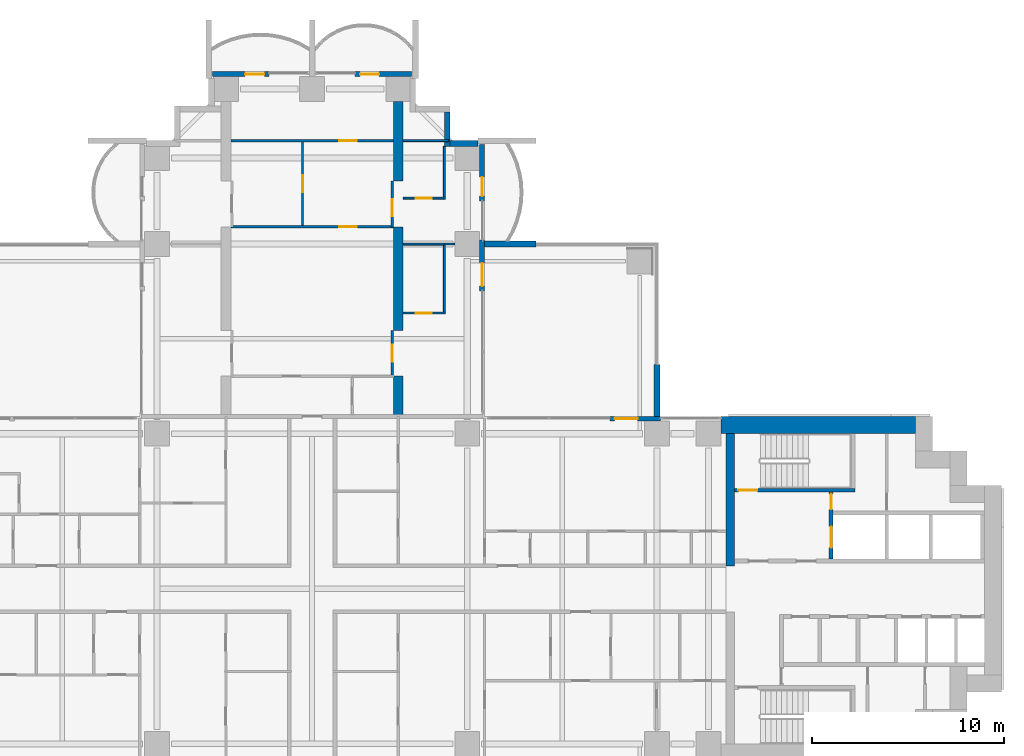
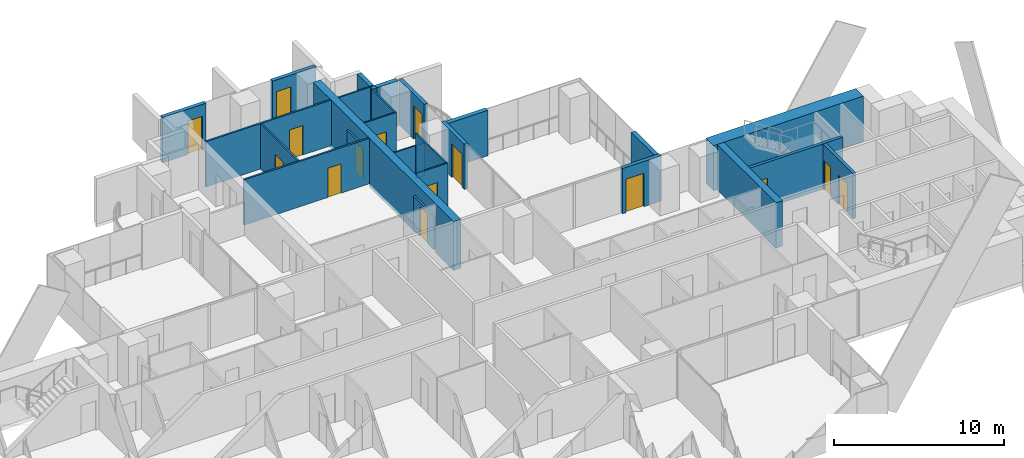
# One storey, part 16 of 23: 26 walls, 15 doors, 15 openings.
"""IFC4 building model written with IfcOpenShell, lengths in metres."""

from ifc_helpers import new_model, si_unit, direction, frame, frame_2d, origin, place, context, subcontext, project, spatial, polyline, rectangle, outline, extrude, material, layer, layer_set, material_profile, profile_set, type_object, element, fill, save


model = new_model("IFC4")

# Units and contexts
model_context = context("Model", 3, precision=1e-05, world=origin(), true_north=direction((0.0, 1.0)))
body_context = subcontext(model_context, "Body", "Model", "MODEL_VIEW")
ifc_project = project(units=[si_unit("LENGTHUNIT", "METRE"), si_unit("AREAUNIT", "SQUARE_METRE"), si_unit("VOLUMEUNIT", "CUBIC_METRE"), si_unit("PLANEANGLEUNIT", "RADIAN"), si_unit("MASSUNIT", "GRAM", prefix="KILO")], contexts=[model_context])

# Site, building, storey
site_placement = place(None, origin())
site = spatial("IfcSite", under=ifc_project, at=site_placement, CompositionType="ELEMENT")
building_placement = place(site_placement, origin())
building = spatial("IfcBuilding", under=site, at=building_placement, Name="Perihelion Cross Residences", CompositionType="ELEMENT")
storey_placement = place(building_placement, frame((0.0, 0.0, 36.5)))
storey = spatial("IfcBuildingStorey", under=building, at=storey_placement, Name="L05", CompositionType="ELEMENT", Elevation=36.5)

# Wall, opening, door
ifc_material_1 = material(Name="Concrete C30/37, bronze-clad", Category="concrete")
ifc_layer_1 = layer(ifc_material_1, 0.25)
ifc_layer_set_1 = layer_set([ifc_layer_1], Name="Bronze-clad pier wall 250")
wall_type_1 = type_object("IfcWallType", Name="Bronze-clad pier wall 250", PredefinedType="SOLIDWALL", material=ifc_layer_set_1)
wall_1_placement = place(storey_placement, frame((18.199951171875, 8.875, 0.0), z_axis=(0.0, 0.0, 1.0), x_axis=(-1.0, 0.0, 0.0)))
wall_1 = element("IfcWall", 1, at=wall_1_placement, inside=storey, type_object=wall_type_1, Name="Wall FW1 L05 east side north bay 2 pier", PredefinedType="SOLIDWALL", context=body_context, shape_type="SweptSolid", body=[
    extrude(rectangle(XDim=2.64990234375, YDim=0.25, at=frame_2d((1.324951171875, 0.0))), origin(), (0.0, 0.0, 1.0), 3.25),
])
opening_1_placement = place(wall_1_placement, frame((1.199951171875, 0.0, 0.0)))
opening_1 = element("IfcOpeningElement", 2, at=opening_1_placement, cuts=wall_1, Name="Opening L05.E01", PredefinedType="OPENING", context=body_context, shape_type="SweptSolid", body=[
    extrude(rectangle(XDim=1.199951171875, YDim=2.39990234375, at=frame_2d((0.60009765625, 1.199951171875))), frame((0.0, 0.135009765625, 0.0), z_axis=(0.0, -1.0, 0.0), x_axis=(1.0, 0.0, 0.0)), (0.0, 0.0, 1.0), 0.27001953125),
])
ifc_material_2 = material(Name="Bronze anodised aluminium, glazed", Category="aluminium")
door_type_1 = type_object("IfcDoorType", Name="Balcony door 1200 x 2400", OperationType="NOTDEFINED", PredefinedType="DOOR", material=ifc_material_2)
door_1_placement = place(opening_1_placement, origin())
door_1 = element("IfcDoor", 3, at=door_1_placement, inside=storey, type_object=door_type_1, Name="Door L05.E01 east side north bay 2", OperationType="SINGLE_SWING_RIGHT", OverallHeight=2.39990234375, OverallWidth=1.199951171875, PredefinedType="DOOR", context=body_context, shape_type="SweptSolid", body=[
    extrude(rectangle(XDim=1.199951171875, YDim=2.39990234375, at=frame_2d((0.60009765625, 1.199951171875))), frame((0.0, 0.02490234375, 0.0), z_axis=(0.0, -1.0, 0.0), x_axis=(1.0, 0.0, 0.0)), (0.0, 0.0, 1.0), 0.050048828125),
])
fill(opening_1, door_1)

wall_2_placement = place(storey_placement, frame((8.875, 15.550048828125, 0.0), z_axis=(0.0, 0.0, 1.0), x_axis=(0.0, 1.0, 0.0)))
wall_2 = element("IfcWall", 4, at=wall_2_placement, inside=storey, type_object=wall_type_1, Name="Wall FW1 L05 north side east bay 1 pier", PredefinedType="SOLIDWALL", context=body_context, shape_type="SweptSolid", body=[
    extrude(rectangle(XDim=2.64990234375, YDim=0.25, at=frame_2d((1.324951171875, 0.0))), origin(), (0.0, 0.0, 1.0), 3.25),
])
opening_2_placement = place(wall_2_placement, frame((0.25, 0.0, 0.0)))
opening_2 = element("IfcOpeningElement", 5, at=opening_2_placement, cuts=wall_2, Name="Opening L05.E02", PredefinedType="OPENING", context=body_context, shape_type="SweptSolid", body=[
    extrude(rectangle(XDim=1.199951171875, YDim=2.39990234375, at=frame_2d((0.60009765625, 1.199951171875))), frame((0.0, 0.135009765625, 0.0), z_axis=(0.0, -1.0, 0.0), x_axis=(1.0, 0.0, 0.0)), (0.0, 0.0, 1.0), 0.27001953125),
])
door_2_placement = place(opening_2_placement, origin())
door_2 = element("IfcDoor", 6, at=door_2_placement, inside=storey, type_object=door_type_1, Name="Door L05.E02 north side east bay 1", OperationType="SINGLE_SWING_LEFT", OverallHeight=2.39990234375, OverallWidth=1.199951171875, PredefinedType="DOOR", context=body_context, shape_type="SweptSolid", body=[
    extrude(rectangle(XDim=1.199951171875, YDim=2.39990234375, at=frame_2d((0.60009765625, 1.199951171875))), frame((0.0, 0.02490234375, 0.0), z_axis=(0.0, -1.0, 0.0), x_axis=(1.0, 0.0, 0.0)), (0.0, 0.0, 1.0), 0.050048828125),
])
fill(opening_2, door_2)

wall_3_placement = place(storey_placement, frame((8.875, 20.25, 0.0), z_axis=(0.0, 0.0, 1.0), x_axis=(0.0, 1.0, 0.0)))
wall_3 = element("IfcWall", 7, at=wall_3_placement, inside=storey, type_object=wall_type_1, Name="Wall FW1 L05 north side east bay 2 pier", PredefinedType="SOLIDWALL", context=body_context, shape_type="SweptSolid", body=[
    extrude(rectangle(XDim=2.949951171875, YDim=0.25, at=frame_2d((1.47509765625, 0.0))), origin(), (0.0, 0.0, 1.0), 3.25),
])
opening_3_placement = place(wall_3_placement, frame((0.25, 0.0, 0.0)))
opening_3 = element("IfcOpeningElement", 8, at=opening_3_placement, cuts=wall_3, Name="Opening L05.E03", PredefinedType="OPENING", context=body_context, shape_type="SweptSolid", body=[
    extrude(rectangle(XDim=1.0, YDim=2.39990234375, at=frame_2d((0.5, 1.199951171875))), frame((0.0, 0.135009765625, 0.0), z_axis=(0.0, -1.0, 0.0), x_axis=(1.0, 0.0, 0.0)), (0.0, 0.0, 1.0), 0.27001953125),
])
ifc_material_3 = material(Name="Bronze anodised aluminium, glazed", Category="aluminium")
door_type_2 = type_object("IfcDoorType", Name="Balcony door 1000 x 2400", OperationType="NOTDEFINED", PredefinedType="DOOR", material=ifc_material_3)
door_3_placement = place(opening_3_placement, origin())
door_3 = element("IfcDoor", 9, at=door_3_placement, inside=storey, type_object=door_type_2, Name="Door L05.E03 north side east bay 2", OperationType="SINGLE_SWING_RIGHT", OverallHeight=2.39990234375, OverallWidth=1.0, PredefinedType="DOOR", context=body_context, shape_type="SweptSolid", body=[
    extrude(rectangle(XDim=1.0, YDim=2.39990234375, at=frame_2d((0.5, 1.199951171875))), frame((0.0, 0.02490234375, 0.0), z_axis=(0.0, -1.0, 0.0), x_axis=(1.0, 0.0, 0.0)), (0.0, 0.0, 1.0), 0.050048828125),
])
fill(opening_3, door_3)

wall_4_placement = place(storey_placement, frame((5.199951171875, 26.875, 0.0), z_axis=(0.0, 0.0, 1.0), x_axis=(-1.0, 0.0, 0.0)))
wall_4 = element("IfcWall", 10, at=wall_4_placement, inside=storey, type_object=wall_type_1, Name="Wall FW1 L05 north tip north bay 1 pier", PredefinedType="SOLIDWALL", context=body_context, shape_type="SweptSolid", body=[
    extrude(rectangle(XDim=2.949951171875, YDim=0.25, at=frame_2d((1.47509765625, 0.0))), origin(), (0.0, 0.0, 1.0), 3.25),
])
opening_4_placement = place(wall_4_placement, frame((1.699951171875, 0.0, 0.0)))
opening_4 = element("IfcOpeningElement", 11, at=opening_4_placement, cuts=wall_4, Name="Opening L05.E04", PredefinedType="OPENING", context=body_context, shape_type="SweptSolid", body=[
    extrude(rectangle(XDim=1.0, YDim=2.39990234375, at=frame_2d((0.5, 1.199951171875))), frame((0.0, 0.135009765625, 0.0), z_axis=(0.0, -1.0, 0.0), x_axis=(1.0, 0.0, 0.0)), (0.0, 0.0, 1.0), 0.27001953125),
])
door_4_placement = place(opening_4_placement, origin())
door_4 = element("IfcDoor", 12, at=door_4_placement, inside=storey, type_object=door_type_2, Name="Door L05.E04 north tip north bay 1", OperationType="SINGLE_SWING_LEFT", OverallHeight=2.39990234375, OverallWidth=1.0, PredefinedType="DOOR", context=body_context, shape_type="SweptSolid", body=[
    extrude(rectangle(XDim=1.0, YDim=2.39990234375, at=frame_2d((0.5, 1.199951171875))), frame((0.0, 0.02490234375, 0.0), z_axis=(0.0, -1.0, 0.0), x_axis=(1.0, 0.0, 0.0)), (0.0, 0.0, 1.0), 0.050048828125),
])
fill(opening_4, door_4)

wall_5_placement = place(storey_placement, frame((-2.25, 26.875, 0.0), z_axis=(0.0, 0.0, 1.0), x_axis=(-1.0, 0.0, 0.0)))
wall_5 = element("IfcWall", 13, at=wall_5_placement, inside=storey, type_object=wall_type_1, Name="Wall FW1 L05 north tip north bay 2 pier", PredefinedType="SOLIDWALL", context=body_context, shape_type="SweptSolid", body=[
    extrude(rectangle(XDim=2.949951171875, YDim=0.25, at=frame_2d((1.47509765625, 0.0))), origin(), (0.0, 0.0, 1.0), 3.25),
])
opening_5_placement = place(wall_5_placement, frame((0.25, 0.0, 0.0)))
opening_5 = element("IfcOpeningElement", 14, at=opening_5_placement, cuts=wall_5, Name="Opening L05.E05", PredefinedType="OPENING", context=body_context, shape_type="SweptSolid", body=[
    extrude(rectangle(XDim=1.0, YDim=2.39990234375, at=frame_2d((0.5, 1.199951171875))), frame((0.0, 0.135009765625, 0.0), z_axis=(0.0, -1.0, 0.0), x_axis=(1.0, 0.0, 0.0)), (0.0, 0.0, 1.0), 0.27001953125),
])
door_5_placement = place(opening_5_placement, origin())
door_5 = element("IfcDoor", 15, at=door_5_placement, inside=storey, type_object=door_type_2, Name="Door L05.E05 north tip north bay 2", OperationType="SINGLE_SWING_RIGHT", OverallHeight=2.39990234375, OverallWidth=1.0, PredefinedType="DOOR", context=body_context, shape_type="SweptSolid", body=[
    extrude(rectangle(XDim=1.0, YDim=2.39990234375, at=frame_2d((0.5, 1.199951171875))), frame((0.0, 0.02490234375, 0.0), z_axis=(0.0, -1.0, 0.0), x_axis=(1.0, 0.0, 0.0)), (0.0, 0.0, 1.0), 0.050048828125),
])
fill(opening_5, door_5)

# Walls
ifc_material_4 = material(Name="Concrete C30/37, bronze-clad", Category="concrete")
ifc_layer_2 = layer(ifc_material_4, 0.300048828125)
ifc_layer_set_2 = layer_set([ifc_layer_2], Name="Bronze-clad serration wall 300")
wall_type_2 = type_object("IfcWallType", Name="Bronze-clad serration wall 300", PredefinedType="SOLIDWALL", material=ifc_layer_set_2)
wall_6_placement = place(storey_placement, frame((8.64990234375, 23.25, 0.0), z_axis=(0.0, 0.0, 1.0), x_axis=(-1.0, 0.0, 0.0)))
element("IfcWall", 16, at=wall_6_placement, inside=storey, type_object=wall_type_2, Name="Wall SR1 L05 north corner north-east 1", PredefinedType="SOLIDWALL", context=body_context, shape_type="SweptSolid", body=[
    extrude(rectangle(XDim=1.449951171875, YDim=0.300048828125, at=frame_2d((0.72509765625, 0.0))), origin(), (0.0, 0.0, 1.0), 3.25),
])
wall_7_placement = place(storey_placement, frame((7.050048828125, 23.10009765625, 0.0), z_axis=(0.0, 0.0, 1.0), x_axis=(0.0, 1.0, 0.0)))
element("IfcWall", 17, at=wall_7_placement, inside=storey, type_object=wall_type_2, Name="Wall SR1 L05 north corner north-east 2", PredefinedType="SOLIDWALL", context=body_context, shape_type="SweptSolid", body=[
    extrude(rectangle(XDim=1.7998046875, YDim=0.300048828125, at=frame_2d((0.89990234375, 0.0))), origin(), (0.0, 0.0, 1.0), 3.25),
])
ifc_material_5 = material(Name="Concrete C60/75", Category="concrete")
ifc_layer_3 = layer(ifc_material_5, 0.449951171875)
ifc_layer_set_3 = layer_set([ifc_layer_3], Name="Core wall, inner 450")
wall_type_3 = type_object("IfcWallType", Name="Core wall, inner 450", PredefinedType="SHEAR", material=ifc_layer_set_3)
wall_8_placement = place(storey_placement, frame((21.824951171875, 1.199951171875, 0.0), z_axis=(0.0, 0.0, 1.0), x_axis=(0.0, 1.0, 0.0)))
element("IfcWall", 18, at=wall_8_placement, inside=storey, type_object=wall_type_3, Name="East core core wall, inner", PredefinedType="SHEAR", context=body_context, shape_type="SweptSolid", body=[
    extrude(rectangle(XDim=6.900146484375, YDim=0.449951171875, at=frame_2d((3.4501953125, 0.0))), origin(), (0.0, 0.0, 1.0), 3.25),
])
ifc_material_6 = material(Name="Concrete C60/75", Category="concrete")
ifc_layer_4 = layer(ifc_material_6, 0.89990234375)
ifc_layer_set_4 = layer_set([ifc_layer_4], Name="Core wall, outer 900")
wall_type_4 = type_object("IfcWallType", Name="Core wall, outer 900", PredefinedType="SHEAR", material=ifc_layer_set_4)
wall_9_placement = place(storey_placement, frame((21.35009765625, 8.550048828125, 0.0), z_axis=(0.0, 0.0, 1.0), x_axis=(1.0, 0.0, 0.0)))
element("IfcWall", 19, at=wall_9_placement, inside=storey, type_object=wall_type_4, Name="East core core wall, outer", PredefinedType="SHEAR", context=body_context, shape_type="SweptSolid", body=[
    extrude(rectangle(XDim=10.14990234375, YDim=0.89990234375, at=frame_2d((5.074951171875, 0.0))), origin(), (0.0, 0.0, 1.0), 3.25),
])

# Wall, opening, door
ifc_material_7 = material(Name="Plasterboard partition")
ifc_layer_5 = layer(ifc_material_7, 0.1201171875)
ifc_layer_set_5 = layer_set([ifc_layer_5], Name="Infill panel 120")
wall_type_5 = type_object("IfcWallType", Name="Infill panel 120", PredefinedType="PARTITIONING", material=ifc_layer_set_5)
wall_10_placement = place(storey_placement, frame((4.18994140625, 11.10009765625, 0.0), z_axis=(0.0, 0.0, 1.0), x_axis=(0.0, 1.0, 0.0)))
wall_10 = element("IfcWall", 20, at=wall_10_placement, inside=storey, type_object=wall_type_5, Name="Partition L05 WI01", PredefinedType="PARTITIONING", context=body_context, shape_type="SweptSolid", body=[
    extrude(rectangle(XDim=2.39990234375, YDim=0.1201171875, at=frame_2d((1.199951171875, 0.0))), origin(), (0.0, 0.0, 1.0), 2.39990234375),
])
opening_6_placement = place(wall_10_placement, frame((0.75, 0.0, 0.0)))
opening_6 = element("IfcOpeningElement", 21, at=opening_6_placement, cuts=wall_10, Name="Opening L05.A54", PredefinedType="OPENING", context=body_context, shape_type="SweptSolid", body=[
    extrude(rectangle(XDim=0.89990234375, YDim=2.10009765625, at=frame_2d((0.449951171875, 1.050048828125))), frame((0.0, 0.070068359375, 0.0), z_axis=(0.0, -1.0, 0.0), x_axis=(1.0, 0.0, 0.0)), (0.0, 0.0, 1.0), 0.14013671875),
])
ifc_material_8 = material(Name="Timber door leaf", Category="wood")
door_type_3 = type_object("IfcDoorType", Name="Interior room door 900 x 2100", OperationType="SINGLE_SWING_LEFT", PredefinedType="DOOR", material=ifc_material_8)
door_6_placement = place(opening_6_placement, origin())
door_6 = element("IfcDoor", 22, at=door_6_placement, inside=storey, type_object=door_type_3, Name="Door L05.A54", OperationType="SINGLE_SWING_RIGHT", OverallHeight=2.10009765625, OverallWidth=0.89990234375, PredefinedType="DOOR", context=body_context, shape_type="SweptSolid", body=[
    extrude(rectangle(XDim=0.89990234375, YDim=2.10009765625, at=frame_2d((0.449951171875, 1.050048828125))), frame((0.0, 0.02490234375, 0.0), z_axis=(0.0, -1.0, 0.0), x_axis=(1.0, 0.0, 0.0)), (0.0, 0.0, 1.0), 0.050048828125),
])
fill(opening_6, door_6)

wall_11_placement = place(storey_placement, frame((4.18994140625, 18.89990234375, 0.0), z_axis=(0.0, 0.0, 1.0), x_axis=(0.0, 1.0, 0.0)))
wall_11 = element("IfcWall", 23, at=wall_11_placement, inside=storey, type_object=wall_type_5, Name="Partition L05 WI02", PredefinedType="PARTITIONING", context=body_context, shape_type="SweptSolid", body=[
    extrude(rectangle(XDim=2.400146484375, YDim=0.1201171875, at=frame_2d((1.2001953125, 0.0))), origin(), (0.0, 0.0, 1.0), 2.39990234375),
])
opening_7_placement = place(wall_11_placement, frame((0.550048828125, 0.0, 0.0)))
opening_7 = element("IfcOpeningElement", 24, at=opening_7_placement, cuts=wall_11, Name="Opening L05.A55", PredefinedType="OPENING", context=body_context, shape_type="SweptSolid", body=[
    extrude(rectangle(XDim=0.89990234375, YDim=2.10009765625, at=frame_2d((0.449951171875, 1.050048828125))), frame((0.0, 0.070068359375, 0.0), z_axis=(0.0, -1.0, 0.0), x_axis=(1.0, 0.0, 0.0)), (0.0, 0.0, 1.0), 0.14013671875),
])
door_7_placement = place(opening_7_placement, origin())
door_7 = element("IfcDoor", 25, at=door_7_placement, inside=storey, type_object=door_type_3, Name="Door L05.A55", OperationType="SINGLE_SWING_LEFT", OverallHeight=2.10009765625, OverallWidth=0.89990234375, PredefinedType="DOOR", context=body_context, shape_type="SweptSolid", body=[
    extrude(rectangle(XDim=0.89990234375, YDim=2.10009765625, at=frame_2d((0.449951171875, 1.050048828125))), frame((0.0, 0.02490234375, 0.0), z_axis=(0.0, -1.0, 0.0), x_axis=(1.0, 0.0, 0.0)), (0.0, 0.0, 1.0), 0.050048828125),
])
fill(opening_7, door_7)

ifc_material_9 = material(Name="Plasterboard partition")
ifc_layer_6 = layer(ifc_material_9, 0.1201171875)
ifc_layer_set_6 = layer_set([ifc_layer_6], Name="Partition wall 120")
wall_type_6 = type_object("IfcWallType", Name="Partition wall 120", PredefinedType="PARTITIONING", material=ifc_layer_set_6)
wall_12_placement = place(storey_placement, frame((-4.25, 18.89990234375, 0.0), z_axis=(0.0, 0.0, 1.0), x_axis=(1.0, 0.0, 0.0)))
wall_12 = element("IfcWall", 26, at=wall_12_placement, inside=storey, type_object=wall_type_6, Name="Partition L05 W060", PredefinedType="PARTITIONING", context=body_context, shape_type="SweptSolid", body=[
    extrude(rectangle(XDim=8.5, YDim=0.1201171875, at=frame_2d((4.25, 0.0))), origin(), (0.0, 0.0, 1.0), 3.25),
])
opening_8_placement = place(wall_12_placement, frame((5.675048828125, 0.0, 0.0)))
opening_8 = element("IfcOpeningElement", 27, at=opening_8_placement, cuts=wall_12, Name="Opening L05.A37", PredefinedType="OPENING", context=body_context, shape_type="SweptSolid", body=[
    extrude(rectangle(XDim=0.89990234375, YDim=2.10009765625, at=frame_2d((0.449951171875, 1.050048828125))), frame((0.0, 0.070068359375, 0.0), z_axis=(0.0, -1.0, 0.0), x_axis=(1.0, 0.0, 0.0)), (0.0, 0.0, 1.0), 0.14013671875),
])
door_8_placement = place(opening_8_placement, origin())
door_8 = element("IfcDoor", 28, at=door_8_placement, inside=storey, type_object=door_type_3, Name="Door L05.A37", OperationType="SINGLE_SWING_RIGHT", OverallHeight=2.10009765625, OverallWidth=0.89990234375, PredefinedType="DOOR", context=body_context, shape_type="SweptSolid", body=[
    extrude(rectangle(XDim=0.89990234375, YDim=2.10009765625, at=frame_2d((0.449951171875, 1.050048828125))), frame((0.0, 0.02490234375, 0.0), z_axis=(0.0, -1.0, 0.0), x_axis=(1.0, 0.0, 0.0)), (0.0, 0.0, 1.0), 0.050048828125),
])
fill(opening_8, door_8)

wall_13_placement = place(storey_placement, frame((-0.5, 18.9599609375, 0.0), z_axis=(0.0, 0.0, 1.0), x_axis=(0.0, 1.0, 0.0)))
wall_13 = element("IfcWall", 29, at=wall_13_placement, inside=storey, type_object=wall_type_6, Name="Partition L05 W061", PredefinedType="PARTITIONING", context=body_context, shape_type="SweptSolid", body=[
    extrude(rectangle(XDim=4.380126953125, YDim=0.1201171875, at=frame_2d((2.18994140625, 0.0))), origin(), (0.0, 0.0, 1.0), 3.25),
])
opening_9_placement = place(wall_13_placement, frame((1.739990234375, 0.0, 0.0)))
opening_9 = element("IfcOpeningElement", 30, at=opening_9_placement, cuts=wall_13, Name="Opening L05.A38", PredefinedType="OPENING", context=body_context, shape_type="SweptSolid", body=[
    extrude(rectangle(XDim=0.89990234375, YDim=2.10009765625, at=frame_2d((0.449951171875, 1.050048828125))), frame((0.0, 0.070068359375, 0.0), z_axis=(0.0, -1.0, 0.0), x_axis=(1.0, 0.0, 0.0)), (0.0, 0.0, 1.0), 0.14013671875),
])
door_9_placement = place(opening_9_placement, origin())
door_9 = element("IfcDoor", 31, at=door_9_placement, inside=storey, type_object=door_type_3, Name="Door L05.A38", OperationType="SINGLE_SWING_RIGHT", OverallHeight=2.10009765625, OverallWidth=0.89990234375, PredefinedType="DOOR", context=body_context, shape_type="SweptSolid", body=[
    extrude(rectangle(XDim=0.89990234375, YDim=2.10009765625, at=frame_2d((0.449951171875, 1.050048828125))), frame((0.0, 0.02490234375, 0.0), z_axis=(0.0, -1.0, 0.0), x_axis=(1.0, 0.0, 0.0)), (0.0, 0.0, 1.0), 0.050048828125),
])
fill(opening_9, door_9)

wall_14_placement = place(storey_placement, frame((-4.25, 23.39990234375, 0.0), z_axis=(0.0, 0.0, 1.0), x_axis=(1.0, 0.0, 0.0)))
wall_14 = element("IfcWall", 32, at=wall_14_placement, inside=storey, type_object=wall_type_6, Name="Partition L05 W062", PredefinedType="PARTITIONING", context=body_context, shape_type="SweptSolid", body=[
    extrude(rectangle(XDim=8.5, YDim=0.1201171875, at=frame_2d((4.25, 0.0))), origin(), (0.0, 0.0, 1.0), 3.25),
])
opening_10_placement = place(wall_14_placement, frame((5.675048828125, 0.0, 0.0)))
opening_10 = element("IfcOpeningElement", 33, at=opening_10_placement, cuts=wall_14, Name="Opening L05.A39", PredefinedType="OPENING", context=body_context, shape_type="SweptSolid", body=[
    extrude(rectangle(XDim=0.89990234375, YDim=2.10009765625, at=frame_2d((0.449951171875, 1.050048828125))), frame((0.0, 0.070068359375, 0.0), z_axis=(0.0, -1.0, 0.0), x_axis=(1.0, 0.0, 0.0)), (0.0, 0.0, 1.0), 0.14013671875),
])
door_10_placement = place(opening_10_placement, origin())
door_10 = element("IfcDoor", 34, at=door_10_placement, inside=storey, type_object=door_type_3, Name="Door L05.A39", OperationType="SINGLE_SWING_LEFT", OverallHeight=2.10009765625, OverallWidth=0.89990234375, PredefinedType="DOOR", context=body_context, shape_type="SweptSolid", body=[
    extrude(rectangle(XDim=0.89990234375, YDim=2.10009765625, at=frame_2d((0.449951171875, 1.050048828125))), frame((0.0, 0.02490234375, 0.0), z_axis=(0.0, -1.0, 0.0), x_axis=(1.0, 0.0, 0.0)), (0.0, 0.0, 1.0), 0.050048828125),
])
fill(opening_10, door_10)

# Walls
wall_15_placement = place(storey_placement, frame((6.89990234375, 18.0, 0.0), z_axis=(0.0, 0.0, 1.0), x_axis=(1.0, 0.0, 0.0)))
element("IfcWall", 35, at=wall_15_placement, inside=storey, type_object=wall_type_6, Name="Partition L05 W065", PredefinedType="PARTITIONING", context=body_context, shape_type="SweptSolid", body=[
    extrude(rectangle(XDim=0.550048828125, YDim=0.1201171875, at=frame_2d((0.27490234375, 0.0))), origin(), (0.0, 0.0, 1.0), 2.345947265625),
])
ifc_material_10 = material(Name="Precast concrete C50/60", Category="concrete")
ifc_layer_7 = layer(ifc_material_10, 0.300048828125)
ifc_layer_set_7 = layer_set([ifc_layer_7], Name="Precast concrete C50/60 blade wall 300")
wall_type_7 = type_object("IfcWallType", Name="Precast concrete C50/60 blade wall 300", PredefinedType="SOLIDWALL", material=ifc_layer_set_7)
for number, where, z_axis, x_axis, name in (
    (36, (8.75, 18.0, 0.0), (0.0, 0.0, 1.0), (1.0, 0.0, 0.0), "Wall BL1 L05 no. 17"),
    (37, (18.0, 8.75, 0.0), (0.0, 0.0, 1.0), (0.0, 1.0, 0.0), "Wall BL1 L05 no. 12"),
):
    element("IfcWall", number, at=place(storey_placement, frame(where, z_axis=z_axis, x_axis=x_axis)), inside=storey, type_object=wall_type_7, Name=name, PredefinedType="SOLIDWALL", context=body_context, shape_type="SweptSolid", body=[
        extrude(rectangle(XDim=2.949951171875, YDim=0.300048828125, at=frame_2d((1.47509765625, 0.0))), origin(), (0.0, 0.0, 1.0), 3.25),
    ])

# Wall, openings, doors
ifc_material_11 = material(Name="Concrete C50/60", Category="concrete")
ifc_layer_8 = layer(ifc_material_11, 0.199951171875)
ifc_layer_set_8 = layer_set([ifc_layer_8], Name="Shaft wall 200")
wall_type_8 = type_object("IfcWallType", Name="Shaft wall 200", PredefinedType="SOLIDWALL", material=ifc_layer_set_8)
wall_16_placement = place(storey_placement, frame((27.10009765625, 1.550048828125, 0.0), z_axis=(0.0, 0.0, 1.0), x_axis=(0.0, 1.0, 0.0)))
wall_16 = element("IfcWall", 38, at=wall_16_placement, inside=storey, type_object=wall_type_8, Name="East core shaft wall", PredefinedType="SOLIDWALL", context=body_context, shape_type="SweptSolid", body=[
    extrude(rectangle(XDim=3.5, YDim=0.199951171875, at=frame_2d((1.75, 0.0))), origin(), (0.0, 0.0, 1.0), 3.25),
])
opening_11_placement = place(wall_16_placement, frame((0.60009765625, 0.0, 0.0)))
opening_11 = element("IfcOpeningElement", 39, at=opening_11_placement, cuts=wall_16, Name="Opening L05.C01", PredefinedType="OPENING", context=body_context, shape_type="SweptSolid", body=[
    extrude(rectangle(XDim=1.10009765625, YDim=2.10009765625, at=frame_2d((0.550048828125, 1.050048828125))), frame((0.0, 0.10986328125, 0.0), z_axis=(0.0, -1.0, 0.0), x_axis=(1.0, 0.0, 0.0)), (0.0, 0.0, 1.0), 0.219970703125),
])
opening_12_placement = place(wall_16_placement, frame((2.60009765625, 0.0, 0.0)))
opening_12 = element("IfcOpeningElement", 40, at=opening_12_placement, cuts=wall_16, Name="Opening L05.C11", PredefinedType="OPENING", context=body_context, shape_type="SweptSolid", body=[
    extrude(rectangle(XDim=0.800048828125, YDim=2.10009765625, at=frame_2d((0.39990234375, 1.050048828125))), frame((0.0, 0.10986328125, 0.0), z_axis=(0.0, -1.0, 0.0), x_axis=(1.0, 0.0, 0.0)), (0.0, 0.0, 1.0), 0.219970703125),
])
ifc_material_12 = material(Name="Stainless steel", Category="steel")
door_type_4 = type_object("IfcDoorType", Name="Landing door, firefighting lift 1100", OperationType="DOUBLE_DOOR_SLIDING", PredefinedType="DOOR", material=ifc_material_12)
door_11_placement = place(opening_11_placement, origin())
door_11 = element("IfcDoor", 41, at=door_11_placement, inside=storey, type_object=door_type_4, Name="Landing door, East core firefighting and service lift", OperationType="DOUBLE_DOOR_SLIDING", OverallHeight=2.10009765625, OverallWidth=1.10009765625, PredefinedType="DOOR", context=body_context, shape_type="SweptSolid", body=[
    extrude(rectangle(XDim=1.10009765625, YDim=2.10009765625, at=frame_2d((0.550048828125, 1.050048828125))), frame((0.0, 0.02490234375, 0.0), z_axis=(0.0, -1.0, 0.0), x_axis=(1.0, 0.0, 0.0)), (0.0, 0.0, 1.0), 0.050048828125),
])
fill(opening_11, door_11)
ifc_material_13 = material(Name="Steel, powder coated", Category="steel")
door_type_5 = type_object("IfcDoorType", Name="Riser door 800", OperationType="SINGLE_SWING_LEFT", PredefinedType="DOOR", material=ifc_material_13)
door_12_placement = place(opening_12_placement, origin())
door_12 = element("IfcDoor", 42, at=door_12_placement, inside=storey, type_object=door_type_5, Name="East core riser door", OperationType="SINGLE_SWING_LEFT", OverallHeight=2.10009765625, OverallWidth=0.800048828125, PredefinedType="DOOR", context=body_context, shape_type="SweptSolid", body=[
    extrude(rectangle(XDim=0.800048828125, YDim=2.10009765625, at=frame_2d((0.39990234375, 1.050048828125))), frame((0.0, 0.02490234375, 0.0), z_axis=(0.0, -1.0, 0.0), x_axis=(1.0, 0.0, 0.0)), (0.0, 0.0, 1.0), 0.050048828125),
])
fill(opening_12, door_12)

# Wall, opening, door
ifc_material_14 = material(Name="Concrete C50/60", Category="concrete")
ifc_layer_9 = layer(ifc_material_14, 0.199951171875)
ifc_layer_set_9 = layer_set([ifc_layer_9], Name="Stair wall 200")
wall_type_9 = type_object("IfcWallType", Name="Stair wall 200", PredefinedType="SOLIDWALL", material=ifc_layer_set_9)
wall_17_placement = place(storey_placement, frame((22.050048828125, 5.14990234375, 0.0), z_axis=(0.0, 0.0, 1.0), x_axis=(1.0, 0.0, 0.0)))
wall_17 = element("IfcWall", 43, at=wall_17_placement, inside=storey, type_object=wall_type_9, Name="East core stair wall", PredefinedType="SOLIDWALL", context=body_context, shape_type="SweptSolid", body=[
    extrude(rectangle(XDim=6.300048828125, YDim=0.199951171875, at=frame_2d((3.14990234375, 0.0))), origin(), (0.0, 0.0, 1.0), 3.25),
])
opening_13_placement = place(wall_17_placement, frame((0.199951171875, 0.0, 0.0)))
opening_13 = element("IfcOpeningElement", 44, at=opening_13_placement, cuts=wall_17, Name="Opening L05.C06", PredefinedType="OPENING", context=body_context, shape_type="SweptSolid", body=[
    extrude(rectangle(XDim=1.0, YDim=2.10009765625, at=frame_2d((0.5, 1.050048828125))), frame((0.0, 0.10986328125, 0.0), z_axis=(0.0, -1.0, 0.0), x_axis=(1.0, 0.0, 0.0)), (0.0, 0.0, 1.0), 0.219970703125),
])
ifc_material_15 = material(Name="Steel, powder coated", Category="steel")
door_type_6 = type_object("IfcDoorType", Name="Stair door 1000", OperationType="SINGLE_SWING_LEFT", PredefinedType="DOOR", material=ifc_material_15)
door_13_placement = place(opening_13_placement, origin())
door_13 = element("IfcDoor", 45, at=door_13_placement, inside=storey, type_object=door_type_6, Name="East core stair door", OperationType="SINGLE_SWING_LEFT", OverallHeight=2.10009765625, OverallWidth=1.0, PredefinedType="DOOR", context=body_context, shape_type="SweptSolid", body=[
    extrude(rectangle(XDim=1.0, YDim=2.10009765625, at=frame_2d((0.5, 1.050048828125))), frame((0.0, 0.02490234375, 0.0), z_axis=(0.0, -1.0, 0.0), x_axis=(1.0, 0.0, 0.0)), (0.0, 0.0, 1.0), 0.050048828125),
])
fill(opening_13, door_13)

# Wall
ifc_material_16 = material(Name="Concrete C60/75", Category="concrete")
ifc_material_profile = material_profile(ifc_material_16, outline(polyline([(0.0, 0.0), (2.10009765625, 0.0), (2.10009765625, 2.64990234375), (4.5, 2.64990234375), (4.5, 0.0), (9.89990234375, 0.0), (9.89990234375, 2.64990234375), (12.300048828125, 2.64990234375), (12.300048828125, 0.0), (16.449951171875, 0.0), (16.449951171875, 3.5), (0.0, 3.5), (0.0, 0.0)])), Name="Tip spine wall")
ifc_profile_set = profile_set([ifc_material_profile], Name="Concrete C60/75")
wall_type_10 = type_object("IfcWallType", Name="Tip spine wall 500 with 2 door openings 16450 long 3500 high concrete C60/75 hand B", PredefinedType="SHEAR", material=ifc_profile_set)
wall_18_placement = place(storey_placement, frame((4.25, 9.0, -0.25), z_axis=(1.0, 0.0, 0.0), x_axis=(0.0, 1.0, 0.0)))
element("IfcWall", 46, at=wall_18_placement, inside=storey, type_object=wall_type_10, Name="Shear wall SW23 L05 north east", PredefinedType="SHEAR", context=body_context, shape_type="SweptSolid", body=[
    extrude(outline(polyline([(0.0, 0.0), (2.10009765625, 0.0), (2.10009765625, 2.64990234375), (4.5, 2.64990234375), (4.5, 0.0), (9.89990234375, 0.0), (9.89990234375, 2.64990234375), (12.300048828125, 2.64990234375), (12.300048828125, 0.0), (16.449951171875, 0.0), (16.449951171875, 3.5), (0.0, 3.5), (0.0, 0.0)])), origin(), (0.0, 0.0, 1.0), 0.5),
])

# Wall, opening, door
ifc_material_17 = material(Name="Plasterboard partition")
ifc_layer_10 = layer(ifc_material_17, 0.10009765625)
ifc_layer_set_10 = layer_set([ifc_layer_10], Name="Wet room wall 100")
wall_type_11 = type_object("IfcWallType", Name="Wet room wall 100", PredefinedType="PARTITIONING", material=ifc_layer_set_10)
wall_19_placement = place(storey_placement, frame((4.75, 14.39990234375, 0.0), z_axis=(0.0, 0.0, 1.0), x_axis=(1.0, 0.0, 0.0)))
wall_19 = element("IfcWall", 47, at=wall_19_placement, inside=storey, type_object=wall_type_11, Name="Partition L05 W063", PredefinedType="PARTITIONING", context=body_context, shape_type="SweptSolid", body=[
    extrude(rectangle(XDim=2.199951171875, YDim=0.10009765625, at=frame_2d((1.10009765625, 0.0))), origin(), (0.0, 0.0, 1.0), 3.25),
])
opening_14_placement = place(wall_19_placement, frame((0.64990234375, 0.0, 0.0)))
opening_14 = element("IfcOpeningElement", 48, at=opening_14_placement, cuts=wall_19, Name="Opening L05.A40", PredefinedType="OPENING", context=body_context, shape_type="SweptSolid", body=[
    extrude(rectangle(XDim=0.85009765625, YDim=2.10009765625, at=frame_2d((0.425048828125, 1.050048828125))), frame((0.0, 0.06005859375, 0.0), z_axis=(0.0, -1.0, 0.0), x_axis=(1.0, 0.0, 0.0)), (0.0, 0.0, 1.0), 0.1201171875),
])
ifc_material_18 = material(Name="Timber door leaf", Category="wood")
door_type_7 = type_object("IfcDoorType", Name="Interior bathroom door 850 x 2100", OperationType="SINGLE_SWING_LEFT", PredefinedType="DOOR", material=ifc_material_18)
door_14_placement = place(opening_14_placement, origin())
door_14 = element("IfcDoor", 49, at=door_14_placement, inside=storey, type_object=door_type_7, Name="Door L05.A40", OperationType="SINGLE_SWING_RIGHT", OverallHeight=2.10009765625, OverallWidth=0.85009765625, PredefinedType="DOOR", context=body_context, shape_type="SweptSolid", body=[
    extrude(rectangle(XDim=0.85009765625, YDim=2.10009765625, at=frame_2d((0.425048828125, 1.050048828125))), frame((0.0, 0.02490234375, 0.0), z_axis=(0.0, -1.0, 0.0), x_axis=(1.0, 0.0, 0.0)), (0.0, 0.0, 1.0), 0.050048828125),
])
fill(opening_14, door_14)

# Walls
wall_20_placement = place(storey_placement, frame((6.89990234375, 14.449951171875, 0.0), z_axis=(0.0, 0.0, 1.0), x_axis=(0.0, 1.0, 0.0)))
element("IfcWall", 50, at=wall_20_placement, inside=storey, type_object=wall_type_11, Name="Partition L05 W064", PredefinedType="PARTITIONING", context=body_context, shape_type="SweptSolid", body=[
    extrude(rectangle(XDim=3.489990234375, YDim=0.10009765625, at=frame_2d((1.7451171875, 0.0))), origin(), (0.0, 0.0, 1.0), 3.25),
])
wall_21_placement = place(storey_placement, frame((4.75, 18.0, 0.0), z_axis=(0.0, 0.0, 1.0), x_axis=(1.0, 0.0, 0.0)))
element("IfcWall", 51, at=wall_21_placement, inside=storey, type_object=wall_type_11, Name="Partition L05 W066", PredefinedType="PARTITIONING", context=body_context, shape_type="SweptSolid", body=[
    extrude(rectangle(XDim=2.14990234375, YDim=0.10009765625, at=frame_2d((1.074951171875, 0.0))), origin(), (0.0, 0.0, 1.0), 2.345947265625),
])

# Wall, opening, door
wall_22_placement = place(storey_placement, frame((4.75, 20.39990234375, 0.0), z_axis=(0.0, 0.0, 1.0), x_axis=(1.0, 0.0, 0.0)))
wall_22 = element("IfcWall", 52, at=wall_22_placement, inside=storey, type_object=wall_type_11, Name="Partition L05 W067", PredefinedType="PARTITIONING", context=body_context, shape_type="SweptSolid", body=[
    extrude(rectangle(XDim=2.199951171875, YDim=0.10009765625, at=frame_2d((1.10009765625, 0.0))), origin(), (0.0, 0.0, 1.0), 3.25),
])
opening_15_placement = place(wall_22_placement, frame((0.64990234375, 0.0, 0.0)))
opening_15 = element("IfcOpeningElement", 53, at=opening_15_placement, cuts=wall_22, Name="Opening L05.A41", PredefinedType="OPENING", context=body_context, shape_type="SweptSolid", body=[
    extrude(rectangle(XDim=0.85009765625, YDim=2.10009765625, at=frame_2d((0.425048828125, 1.050048828125))), frame((0.0, 0.06005859375, 0.0), z_axis=(0.0, -1.0, 0.0), x_axis=(1.0, 0.0, 0.0)), (0.0, 0.0, 1.0), 0.1201171875),
])
door_15_placement = place(opening_15_placement, origin())
door_15 = element("IfcDoor", 54, at=door_15_placement, inside=storey, type_object=door_type_7, Name="Door L05.A41", OperationType="SINGLE_SWING_LEFT", OverallHeight=2.10009765625, OverallWidth=0.85009765625, PredefinedType="DOOR", context=body_context, shape_type="SweptSolid", body=[
    extrude(rectangle(XDim=0.85009765625, YDim=2.10009765625, at=frame_2d((0.425048828125, 1.050048828125))), frame((0.0, 0.02490234375, 0.0), z_axis=(0.0, -1.0, 0.0), x_axis=(1.0, 0.0, 0.0)), (0.0, 0.0, 1.0), 0.050048828125),
])
fill(opening_15, door_15)

# Walls
wall_23_placement = place(storey_placement, frame((6.89990234375, 20.449951171875, 0.0), z_axis=(0.0, 0.0, 1.0), x_axis=(0.0, 1.0, 0.0)))
element("IfcWall", 55, at=wall_23_placement, inside=storey, type_object=wall_type_11, Name="Partition L05 W068", PredefinedType="PARTITIONING", context=body_context, shape_type="SweptSolid", body=[
    extrude(rectangle(XDim=2.650146484375, YDim=0.10009765625, at=frame_2d((1.3251953125, 0.0))), origin(), (0.0, 0.0, 1.0), 3.25),
])
wall_24_placement = place(storey_placement, frame((4.75, 23.39990234375, 0.0), z_axis=(0.0, 0.0, 1.0), x_axis=(1.0, 0.0, 0.0)))
element("IfcWall", 56, at=wall_24_placement, inside=storey, type_object=wall_type_11, Name="Partition L05 W069", PredefinedType="PARTITIONING", context=body_context, shape_type="SweptSolid", body=[
    extrude(rectangle(XDim=2.3701171875, YDim=0.10009765625, at=frame_2d((1.18505859375, 0.0))), origin(), (0.0, 0.0, 1.0), 3.25),
])

save(model, "model.ifc")
